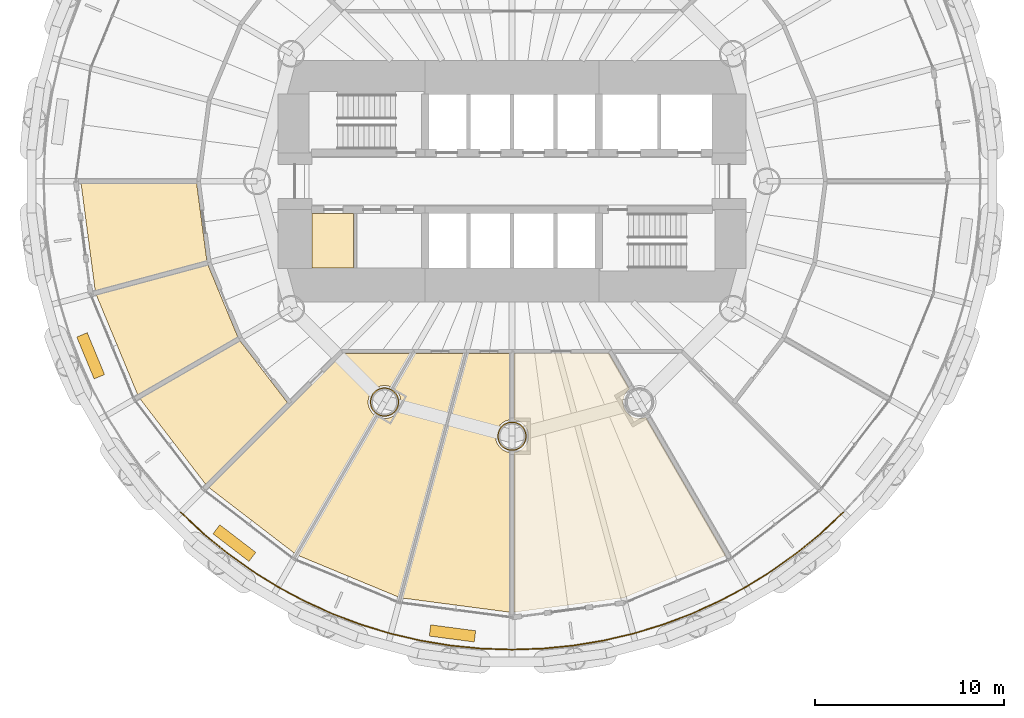
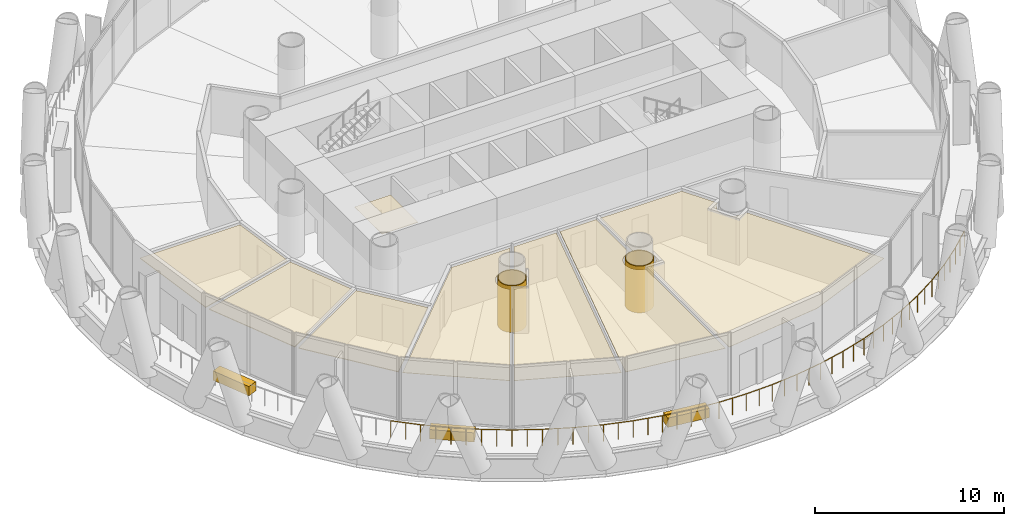
# One storey, part 13 of 16: 13 coverings, 1 railing.
"""IFC4 building model written with IfcOpenShell, lengths in metres."""

from ifc_helpers import new_model, si_unit, direction, frame, origin, origin_2d, place, context, subcontext, project, spatial, polyline, rectangle, circle, outline, extrude, material, layer, layer_set, type_object, element, save


model = new_model("IFC4")

# Units and contexts
model_context = context("Model", 3, precision=1e-05, world=origin(), true_north=direction((0.0, 1.0)))
body_context = subcontext(model_context, "Body", "Model", "MODEL_VIEW")
ifc_project = project(units=[si_unit("LENGTHUNIT", "METRE"), si_unit("AREAUNIT", "SQUARE_METRE"), si_unit("VOLUMEUNIT", "CUBIC_METRE"), si_unit("PLANEANGLEUNIT", "RADIAN"), si_unit("MASSUNIT", "GRAM", prefix="KILO")], contexts=[model_context])

# Site, building, storey
site_placement = place(None, origin())
site = spatial("IfcSite", under=ifc_project, at=site_placement, CompositionType="ELEMENT")
building_placement = place(site_placement, origin())
building = spatial("IfcBuilding", under=site, at=building_placement, Name="Qaws Media Tower", CompositionType="ELEMENT")
storey_placement = place(building_placement, frame((0.0, 0.0, 80.60009765625)))
storey = spatial("IfcBuildingStorey", under=building, at=storey_placement, Name="L17", CompositionType="ELEMENT", Elevation=80.60009765625)

# Coverings
ifc_material_1 = material(Name="40 perforated acoustic panels with mineral wool backing, suspended", Category="mineral fibre")
ifc_layer_1 = layer(ifc_material_1, 0.0400390625)
ifc_layer_set_1 = layer_set([ifc_layer_1], Name="Acoustic panel ceiling 40")
covering_type_1 = type_object("IfcCoveringType", Name="Acoustic panel ceiling 40", PredefinedType="CEILING", material=ifc_layer_set_1)
covering_1_placement = place(storey_placement, frame((0.0, 0.0, 2.849853515625)))
element("IfcCovering", 1, at=covering_1_placement, inside=storey, type_object=covering_type_1, Name="CL3 ceiling L17-03 Translation booth", PredefinedType="CEILING", context=body_context, shape_type="SweptSolid", body=[
    extrude(outline(polyline([(37.1796875, 49.887451171875), (43.30126953125, 49.887451171875), (43.84130859375, 45.78662109375), (37.927978515625, 44.202392578125), (37.1796875, 49.887451171875)])), origin(), (0.0, 0.0, 1.0), 0.0400390625),
])
covering_2_placement = place(storey_placement, frame((0.0, 0.0, 2.849853515625)))
element("IfcCovering", 2, at=covering_2_placement, inside=storey, type_object=covering_type_1, Name="CL3 ceiling L17-04 Translation booth", PredefinedType="CEILING", context=body_context, shape_type="SweptSolid", body=[
    extrude(outline(polyline([(37.986328125, 43.985107421875), (43.8994140625, 45.5693359375), (45.482421875, 41.748046875), (40.1806640625, 38.687255859375), (37.986328125, 43.985107421875)])), origin(), (0.0, 0.0, 1.0), 0.0400390625),
])
covering_3_placement = place(storey_placement, frame((0.0, 0.0, 2.849853515625)))
element("IfcCovering", 3, at=covering_3_placement, inside=storey, type_object=covering_type_1, Name="CL3 ceiling L17-05 Translation booth", PredefinedType="CEILING", context=body_context, shape_type="SweptSolid", body=[
    extrude(outline(polyline([(40.293212890625, 38.492431640625), (45.5947265625, 41.55322265625), (48.11279296875, 38.271728515625), (43.783935546875, 33.943115234375), (40.293212890625, 38.492431640625)])), origin(), (0.0, 0.0, 1.0), 0.0400390625),
])

# Railing
ifc_material_2 = material(Name="Stainless steel and glass guard", Category="steel")
railing_type = type_object("IfcRailingType", Name="Balcony guard 1100", PredefinedType="GUARDRAIL", material=ifc_material_2)
railing_placement = place(storey_placement, frame((42.4638671875, 32.4638671875, 0.0)))
element("IfcRailing", 4, at=railing_placement, inside=storey, type_object=railing_type, Name="GR1 balcony guard L17-3", PredefinedType="GUARDRAIL", context=body_context, shape_type="SweptSolid", body=[
    extrude(circle(Radius=0.02392578125, at=origin_2d()), frame((0.0, 0.0, 1.076171875), z_axis=(0.729823335563, -0.683635794022, 0.0), x_axis=(0.683635794022, 0.729823335563, 0.0)), (0.0, 0.0, 1.0), 1.622802734375),
    extrude(circle(Radius=0.02392578125, at=origin_2d()), frame((1.184326171875, -1.109375, 1.076171875), z_axis=(0.773044998385, -0.634351188595, 0.0), x_axis=(0.634351188595, 0.773044998385, 0.0)), (0.0, 0.0, 1.0), 1.623046875),
    extrude(circle(Radius=0.02392578125, at=origin_2d()), frame((2.43896484375, -2.138916015625, 1.076171875), z_axis=(0.812827812024, -0.582504032604, 0.0), x_axis=(0.582504032604, 0.812827812024, 0.0)), (0.0, 0.0, 1.0), 1.622802734375),
    extrude(circle(Radius=0.02392578125, at=origin_2d()), frame((3.758056640625, -3.084228515625, 1.076171875), z_axis=(0.849154052867, -0.528145239967, 0.0), x_axis=(0.528145239967, 0.849154052867, 0.0)), (0.0, 0.0, 1.0), 1.623046875),
    extrude(circle(Radius=0.02392578125, at=origin_2d()), frame((5.13623046875, -3.94140625, 1.076171875), z_axis=(0.881940295508, -0.471361130301, 0.0), x_axis=(0.471361130301, 0.881940295508, 0.0)), (0.0, 0.0, 1.0), 1.622802734375),
    extrude(circle(Radius=0.02392578125, at=origin_2d()), frame((6.5673828125, -4.706298828125, 1.076171875), z_axis=(0.910891239734, -0.412646518677, 0.0), x_axis=(0.412646518677, 0.910891239734, 0.0)), (0.0, 0.0, 1.0), 1.622802734375),
    extrude(circle(Radius=0.02392578125, at=origin_2d()), frame((8.045654296875, -5.3759765625, 1.076171875), z_axis=(0.935877089003, -0.352326658486, 0.0), x_axis=(0.352326658486, 0.935877089003, 0.0)), (0.0, 0.0, 1.0), 1.622802734375),
    extrude(circle(Radius=0.02392578125, at=origin_2d()), frame((9.564453125, -5.94775390625, 1.076171875), z_axis=(0.956923127669, -0.290341398585, 0.0), x_axis=(0.290341398585, 0.956923127669, 0.0)), (0.0, 0.0, 1.0), 1.622802734375),
    extrude(circle(Radius=0.02392578125, at=origin_2d()), frame((11.117431640625, -6.4189453125, 1.076171875), z_axis=(0.973894444351, -0.227001346389, 0.0), x_axis=(0.227001346389, 0.973894444351, 0.0)), (0.0, 0.0, 1.0), 1.623046875),
    extrude(circle(Radius=0.02392578125, at=origin_2d()), frame((12.697998046875, -6.787353515625, 1.076171875), z_axis=(0.986636807112, -0.162934989647, 0.0), x_axis=(0.162934989647, 0.986636807112, 0.0)), (0.0, 0.0, 1.0), 1.622802734375),
    extrude(circle(Radius=0.02392578125, at=origin_2d()), frame((14.299072265625, -7.0517578125, 1.076171875), z_axis=(0.995192364026, -0.097939565983, 0.0), x_axis=(0.097939565983, 0.995192364026, 0.0)), (0.0, 0.0, 1.0), 1.622802734375),
    extrude(circle(Radius=0.02392578125, at=origin_2d()), frame((15.9140625, -7.210693359375, 1.076171875), z_axis=(0.999462135048, -0.032793911114, 0.0), x_axis=(0.032793911114, 0.999462135048, 0.0)), (0.0, 0.0, 1.0), 1.623046875),
    extrude(circle(Radius=0.02392578125, at=origin_2d()), frame((17.5361328125, -7.263916015625, 1.076171875), z_axis=(0.999462135048, 0.032793911114, 0.0), x_axis=(-0.032793911114, 0.999462135048, 0.0)), (0.0, 0.0, 1.0), 1.623046875),
    extrude(circle(Radius=0.02392578125, at=origin_2d()), frame((19.158203125, -7.210693359375, 1.076171875), z_axis=(0.995192364026, 0.097939565983, 0.0), x_axis=(-0.097939565983, 0.995192364026, 0.0)), (0.0, 0.0, 1.0), 1.622802734375),
    extrude(circle(Radius=0.02392578125, at=origin_2d()), frame((20.773193359375, -7.0517578125, 1.076171875), z_axis=(0.986636807112, 0.162934989647, 0.0), x_axis=(-0.162934989647, 0.986636807112, 0.0)), (0.0, 0.0, 1.0), 1.622802734375),
    extrude(circle(Radius=0.02392578125, at=origin_2d()), frame((22.374267578125, -6.787353515625, 1.076171875), z_axis=(0.973894444351, 0.227001346389, 0.0), x_axis=(-0.227001346389, 0.973894444351, 0.0)), (0.0, 0.0, 1.0), 1.623046875),
    extrude(circle(Radius=0.02392578125, at=origin_2d()), frame((23.954833984375, -6.4189453125, 1.076171875), z_axis=(0.956923127669, 0.290341398585, 0.0), x_axis=(-0.290341398585, 0.956923127669, 0.0)), (0.0, 0.0, 1.0), 1.622802734375),
    extrude(circle(Radius=0.02392578125, at=origin_2d()), frame((25.5078125, -5.94775390625, 1.076171875), z_axis=(0.935877089003, 0.352326658486, 0.0), x_axis=(-0.352326658486, 0.935877089003, 0.0)), (0.0, 0.0, 1.0), 1.622802734375),
    extrude(circle(Radius=0.02392578125, at=origin_2d()), frame((27.026611328125, -5.3759765625, 1.076171875), z_axis=(0.910891239734, 0.412646518677, 0.0), x_axis=(-0.412646518677, 0.910891239734, 0.0)), (0.0, 0.0, 1.0), 1.622802734375),
    extrude(circle(Radius=0.02392578125, at=origin_2d()), frame((28.5048828125, -4.706298828125, 1.076171875), z_axis=(0.881940295508, 0.471361130301, 0.0), x_axis=(-0.471361130301, 0.881940295508, 0.0)), (0.0, 0.0, 1.0), 1.622802734375),
    extrude(circle(Radius=0.02392578125, at=origin_2d()), frame((29.93603515625, -3.94140625, 1.076171875), z_axis=(0.849154052867, 0.528145239967, 0.0), x_axis=(-0.528145239967, 0.849154052867, 0.0)), (0.0, 0.0, 1.0), 1.623046875),
    extrude(circle(Radius=0.02392578125, at=origin_2d()), frame((31.314208984375, -3.084228515625, 1.076171875), z_axis=(0.812827812024, 0.582504032604, 0.0), x_axis=(-0.582504032604, 0.812827812024, 0.0)), (0.0, 0.0, 1.0), 1.622802734375),
    extrude(circle(Radius=0.02392578125, at=origin_2d()), frame((32.63330078125, -2.138916015625, 1.076171875), z_axis=(0.773044998385, 0.634351188595, 0.0), x_axis=(-0.634351188595, 0.773044998385, 0.0)), (0.0, 0.0, 1.0), 1.623046875),
    extrude(circle(Radius=0.02392578125, at=origin_2d()), frame((33.887939453125, -1.109375, 1.076171875), z_axis=(0.729823335563, 0.683635794022, 0.0), x_axis=(-0.683635794022, 0.729823335563, 0.0)), (0.0, 0.0, 1.0), 1.622802734375),
    extrude(circle(Radius=0.02099609375, at=origin_2d()), origin(), (0.0, 0.0, 1.0), 1.052001953125),
    extrude(circle(Radius=0.02099609375, at=origin_2d()), frame((0.59228515625, -0.5546875, 0.0)), (0.0, 0.0, 1.0), 1.052001953125),
    extrude(circle(Radius=0.02099609375, at=origin_2d()), frame((1.184326171875, -1.109375, 0.0)), (0.0, 0.0, 1.0), 1.052001953125),
    extrude(circle(Radius=0.02099609375, at=origin_2d()), frame((1.8115234375, -1.6240234375, 0.0)), (0.0, 0.0, 1.0), 1.052001953125),
    extrude(circle(Radius=0.02099609375, at=origin_2d()), frame((2.43896484375, -2.138916015625, 0.0)), (0.0, 0.0, 1.0), 1.052001953125),
    extrude(circle(Radius=0.02099609375, at=origin_2d()), frame((3.0986328125, -2.611572265625, 0.0)), (0.0, 0.0, 1.0), 1.052001953125),
    extrude(circle(Radius=0.02099609375, at=origin_2d()), frame((3.758056640625, -3.084228515625, 0.0)), (0.0, 0.0, 1.0), 1.052001953125),
    extrude(circle(Radius=0.02099609375, at=origin_2d()), frame((4.447265625, -3.5126953125, 0.0)), (0.0, 0.0, 1.0), 1.052001953125),
    extrude(circle(Radius=0.02099609375, at=origin_2d()), frame((5.13623046875, -3.94140625, 0.0)), (0.0, 0.0, 1.0), 1.052001953125),
    extrude(circle(Radius=0.02099609375, at=origin_2d()), frame((5.851806640625, -4.32373046875, 0.0)), (0.0, 0.0, 1.0), 1.052001953125),
    extrude(circle(Radius=0.02099609375, at=origin_2d()), frame((6.5673828125, -4.706298828125, 0.0)), (0.0, 0.0, 1.0), 1.052001953125),
    extrude(circle(Radius=0.02099609375, at=origin_2d()), frame((7.306640625, -5.041015625, 0.0)), (0.0, 0.0, 1.0), 1.052001953125),
    extrude(circle(Radius=0.02099609375, at=origin_2d()), frame((8.045654296875, -5.3759765625, 0.0)), (0.0, 0.0, 1.0), 1.052001953125),
    extrude(circle(Radius=0.02099609375, at=origin_2d()), frame((8.80517578125, -5.661865234375, 0.0)), (0.0, 0.0, 1.0), 1.052001953125),
    extrude(circle(Radius=0.02099609375, at=origin_2d()), frame((9.564453125, -5.94775390625, 0.0)), (0.0, 0.0, 1.0), 1.052001953125),
    extrude(circle(Radius=0.02099609375, at=origin_2d()), frame((10.3408203125, -6.183349609375, 0.0)), (0.0, 0.0, 1.0), 1.052001953125),
    extrude(circle(Radius=0.02099609375, at=origin_2d()), frame((11.117431640625, -6.4189453125, 0.0)), (0.0, 0.0, 1.0), 1.052001953125),
    extrude(circle(Radius=0.02099609375, at=origin_2d()), frame((11.90771484375, -6.60302734375, 0.0)), (0.0, 0.0, 1.0), 1.052001953125),
    extrude(circle(Radius=0.02099609375, at=origin_2d()), frame((12.697998046875, -6.787353515625, 0.0)), (0.0, 0.0, 1.0), 1.052001953125),
    extrude(circle(Radius=0.02099609375, at=origin_2d()), frame((13.49853515625, -6.91943359375, 0.0)), (0.0, 0.0, 1.0), 1.052001953125),
    extrude(circle(Radius=0.02099609375, at=origin_2d()), frame((14.299072265625, -7.0517578125, 0.0)), (0.0, 0.0, 1.0), 1.052001953125),
    extrude(circle(Radius=0.02099609375, at=origin_2d()), frame((15.1064453125, -7.13134765625, 0.0)), (0.0, 0.0, 1.0), 1.052001953125),
    extrude(circle(Radius=0.02099609375, at=origin_2d()), frame((15.9140625, -7.210693359375, 0.0)), (0.0, 0.0, 1.0), 1.052001953125),
    extrude(circle(Radius=0.02099609375, at=origin_2d()), frame((16.72509765625, -7.2373046875, 0.0)), (0.0, 0.0, 1.0), 1.052001953125),
    extrude(circle(Radius=0.02099609375, at=origin_2d()), frame((17.5361328125, -7.263916015625, 0.0)), (0.0, 0.0, 1.0), 1.052001953125),
    extrude(circle(Radius=0.02099609375, at=origin_2d()), frame((18.34716796875, -7.2373046875, 0.0)), (0.0, 0.0, 1.0), 1.052001953125),
    extrude(circle(Radius=0.02099609375, at=origin_2d()), frame((19.158203125, -7.210693359375, 0.0)), (0.0, 0.0, 1.0), 1.052001953125),
    extrude(circle(Radius=0.02099609375, at=origin_2d()), frame((19.9658203125, -7.13134765625, 0.0)), (0.0, 0.0, 1.0), 1.052001953125),
    extrude(circle(Radius=0.02099609375, at=origin_2d()), frame((20.773193359375, -7.0517578125, 0.0)), (0.0, 0.0, 1.0), 1.052001953125),
    extrude(circle(Radius=0.02099609375, at=origin_2d()), frame((21.57373046875, -6.91943359375, 0.0)), (0.0, 0.0, 1.0), 1.052001953125),
    extrude(circle(Radius=0.02099609375, at=origin_2d()), frame((22.374267578125, -6.787353515625, 0.0)), (0.0, 0.0, 1.0), 1.052001953125),
    extrude(circle(Radius=0.02099609375, at=origin_2d()), frame((23.16455078125, -6.60302734375, 0.0)), (0.0, 0.0, 1.0), 1.052001953125),
    extrude(circle(Radius=0.02099609375, at=origin_2d()), frame((23.954833984375, -6.4189453125, 0.0)), (0.0, 0.0, 1.0), 1.052001953125),
    extrude(circle(Radius=0.02099609375, at=origin_2d()), frame((24.7314453125, -6.183349609375, 0.0)), (0.0, 0.0, 1.0), 1.052001953125),
    extrude(circle(Radius=0.02099609375, at=origin_2d()), frame((25.5078125, -5.94775390625, 0.0)), (0.0, 0.0, 1.0), 1.052001953125),
    extrude(circle(Radius=0.02099609375, at=origin_2d()), frame((26.26708984375, -5.661865234375, 0.0)), (0.0, 0.0, 1.0), 1.052001953125),
    extrude(circle(Radius=0.02099609375, at=origin_2d()), frame((27.026611328125, -5.3759765625, 0.0)), (0.0, 0.0, 1.0), 1.052001953125),
    extrude(circle(Radius=0.02099609375, at=origin_2d()), frame((27.765625, -5.041015625, 0.0)), (0.0, 0.0, 1.0), 1.052001953125),
    extrude(circle(Radius=0.02099609375, at=origin_2d()), frame((28.5048828125, -4.706298828125, 0.0)), (0.0, 0.0, 1.0), 1.052001953125),
    extrude(circle(Radius=0.02099609375, at=origin_2d()), frame((29.220458984375, -4.32373046875, 0.0)), (0.0, 0.0, 1.0), 1.052001953125),
    extrude(circle(Radius=0.02099609375, at=origin_2d()), frame((29.93603515625, -3.94140625, 0.0)), (0.0, 0.0, 1.0), 1.052001953125),
    extrude(circle(Radius=0.02099609375, at=origin_2d()), frame((30.625, -3.5126953125, 0.0)), (0.0, 0.0, 1.0), 1.052001953125),
    extrude(circle(Radius=0.02099609375, at=origin_2d()), frame((31.314208984375, -3.084228515625, 0.0)), (0.0, 0.0, 1.0), 1.052001953125),
    extrude(circle(Radius=0.02099609375, at=origin_2d()), frame((31.9736328125, -2.611572265625, 0.0)), (0.0, 0.0, 1.0), 1.052001953125),
    extrude(circle(Radius=0.02099609375, at=origin_2d()), frame((32.63330078125, -2.138916015625, 0.0)), (0.0, 0.0, 1.0), 1.052001953125),
    extrude(circle(Radius=0.02099609375, at=origin_2d()), frame((33.2607421875, -1.6240234375, 0.0)), (0.0, 0.0, 1.0), 1.052001953125),
    extrude(circle(Radius=0.02099609375, at=origin_2d()), frame((33.887939453125, -1.109375, 0.0)), (0.0, 0.0, 1.0), 1.052001953125),
    extrude(circle(Radius=0.02099609375, at=origin_2d()), frame((34.47998046875, -0.5546875, 0.0)), (0.0, 0.0, 1.0), 1.052001953125),
    extrude(circle(Radius=0.02099609375, at=origin_2d()), frame((35.072265625, 0.0, 0.0)), (0.0, 0.0, 1.0), 1.052001953125),
])

# Coverings
ifc_material_3 = material(Name="Two layers 15 fire-rated gypsum board on steel framing", Category="steel")
ifc_layer_2 = layer(ifc_material_3, 0.050048828125)
ifc_layer_set_2 = layer_set([ifc_layer_2], Name="Column fire casing")
covering_type_2 = type_object("IfcCoveringType", Name="Column fire casing", PredefinedType="CLADDING", material=ifc_layer_set_2)
covering_4_placement = place(storey_placement, origin())
element("IfcCovering", 5, at=covering_4_placement, inside=storey, type_object=covering_type_2, Name="CC1 column casing L17", PredefinedType="CLADDING", context=body_context, shape_type="SweptSolid", body=[
    extrude(outline(polyline([(54.01611328125, 38.30859375), (54.009521484375, 38.208740234375), (53.989990234375, 38.1103515625), (53.957763671875, 38.015380859375), (53.913330078125, 37.92578125), (53.857666015625, 37.84228515625), (53.79150390625, 37.76708984375), (53.71630859375, 37.700927734375), (53.633056640625, 37.645263671875), (53.543212890625, 37.60107421875), (53.4482421875, 37.56884765625), (53.35009765625, 37.54931640625), (53.25, 37.542724609375), (53.14990234375, 37.54931640625), (53.0517578125, 37.56884765625), (52.956787109375, 37.60107421875), (52.866943359375, 37.645263671875), (52.78369140625, 37.700927734375), (52.70849609375, 37.76708984375), (52.642333984375, 37.84228515625), (52.586669921875, 37.92578125), (52.542236328125, 38.015380859375), (52.510009765625, 38.1103515625), (52.490478515625, 38.208740234375), (52.48388671875, 38.30859375), (52.490478515625, 38.40869140625), (52.510009765625, 38.5068359375), (52.542236328125, 38.601806640625), (52.586669921875, 38.691650390625), (52.642333984375, 38.77490234375), (52.70849609375, 38.850341796875), (52.78369140625, 38.91650390625), (52.866943359375, 38.971923828125), (52.956787109375, 39.016357421875), (53.0517578125, 39.048583984375), (53.14990234375, 39.068115234375), (53.25, 39.07470703125), (53.35009765625, 39.068115234375), (53.4482421875, 39.048583984375), (53.543212890625, 39.016357421875), (53.633056640625, 38.971923828125), (53.71630859375, 38.91650390625), (53.79150390625, 38.850341796875), (53.857666015625, 38.77490234375), (53.913330078125, 38.691650390625), (53.957763671875, 38.601806640625), (53.989990234375, 38.5068359375), (54.009521484375, 38.40869140625), (54.01611328125, 38.30859375)]), holes=[polyline([(53.964111328125, 38.30859375), (53.9580078125, 38.215576171875), (53.939697265625, 38.123779296875), (53.90966796875, 38.035400390625), (53.868408203125, 37.95166015625), (53.81640625, 37.8740234375), (53.7548828125, 37.8037109375), (53.684814453125, 37.7421875), (53.60693359375, 37.690185546875), (53.523193359375, 37.64892578125), (53.434814453125, 37.618896484375), (53.34326171875, 37.600830078125), (53.25, 37.5947265625), (53.15673828125, 37.600830078125), (53.065185546875, 37.618896484375), (52.976806640625, 37.64892578125), (52.89306640625, 37.690185546875), (52.815185546875, 37.7421875), (52.7451171875, 37.8037109375), (52.68359375, 37.8740234375), (52.631591796875, 37.95166015625), (52.59033203125, 38.035400390625), (52.560302734375, 38.123779296875), (52.5419921875, 38.215576171875), (52.535888671875, 38.30859375), (52.5419921875, 38.40185546875), (52.560302734375, 38.493408203125), (52.59033203125, 38.581787109375), (52.631591796875, 38.665771484375), (52.68359375, 38.743408203125), (52.7451171875, 38.8134765625), (52.815185546875, 38.875), (52.89306640625, 38.927001953125), (52.976806640625, 38.96826171875), (53.065185546875, 38.998291015625), (53.15673828125, 39.0166015625), (53.25, 39.022705078125), (53.34326171875, 39.0166015625), (53.434814453125, 38.998291015625), (53.523193359375, 38.96826171875), (53.60693359375, 38.927001953125), (53.684814453125, 38.875), (53.7548828125, 38.8134765625), (53.81640625, 38.743408203125), (53.868408203125, 38.665771484375), (53.90966796875, 38.581787109375), (53.939697265625, 38.493408203125), (53.9580078125, 38.40185546875), (53.964111328125, 38.30859375)])]), origin(), (0.0, 0.0, 1.0), 3.02001953125),
])
covering_5_placement = place(storey_placement, origin())
element("IfcCovering", 6, at=covering_5_placement, inside=storey, type_object=covering_type_2, Name="CC1 column casing L17", PredefinedType="CLADDING", context=body_context, shape_type="SweptSolid", body=[
    extrude(outline(polyline([(60.76611328125, 36.5), (60.759521484375, 36.39990234375), (60.739990234375, 36.3017578125), (60.707763671875, 36.206787109375), (60.663330078125, 36.116943359375), (60.607666015625, 36.03369140625), (60.54150390625, 35.95849609375), (60.46630859375, 35.892333984375), (60.383056640625, 35.836669921875), (60.293212890625, 35.792236328125), (60.1982421875, 35.760009765625), (60.10009765625, 35.740478515625), (60.0, 35.73388671875), (59.89990234375, 35.740478515625), (59.8017578125, 35.760009765625), (59.706787109375, 35.792236328125), (59.616943359375, 35.836669921875), (59.53369140625, 35.892333984375), (59.45849609375, 35.95849609375), (59.392333984375, 36.03369140625), (59.336669921875, 36.116943359375), (59.292236328125, 36.206787109375), (59.260009765625, 36.3017578125), (59.240478515625, 36.39990234375), (59.23388671875, 36.5), (59.240478515625, 36.60009765625), (59.260009765625, 36.6982421875), (59.292236328125, 36.793212890625), (59.336669921875, 36.883056640625), (59.392333984375, 36.96630859375), (59.45849609375, 37.04150390625), (59.53369140625, 37.107666015625), (59.616943359375, 37.163330078125), (59.706787109375, 37.207763671875), (59.8017578125, 37.239990234375), (59.89990234375, 37.259521484375), (60.0, 37.26611328125), (60.10009765625, 37.259521484375), (60.1982421875, 37.239990234375), (60.293212890625, 37.207763671875), (60.383056640625, 37.163330078125), (60.46630859375, 37.107666015625), (60.54150390625, 37.04150390625), (60.607666015625, 36.96630859375), (60.663330078125, 36.883056640625), (60.707763671875, 36.793212890625), (60.739990234375, 36.6982421875), (60.759521484375, 36.60009765625), (60.76611328125, 36.5)]), holes=[polyline([(60.714111328125, 36.5), (60.7080078125, 36.40673828125), (60.689697265625, 36.315185546875), (60.65966796875, 36.226806640625), (60.618408203125, 36.14306640625), (60.56640625, 36.065185546875), (60.5048828125, 35.9951171875), (60.434814453125, 35.93359375), (60.35693359375, 35.881591796875), (60.273193359375, 35.84033203125), (60.184814453125, 35.810302734375), (60.09326171875, 35.7919921875), (60.0, 35.785888671875), (59.90673828125, 35.7919921875), (59.815185546875, 35.810302734375), (59.726806640625, 35.84033203125), (59.64306640625, 35.881591796875), (59.565185546875, 35.93359375), (59.4951171875, 35.9951171875), (59.43359375, 36.065185546875), (59.381591796875, 36.14306640625), (59.34033203125, 36.226806640625), (59.310302734375, 36.315185546875), (59.2919921875, 36.40673828125), (59.285888671875, 36.5), (59.2919921875, 36.59326171875), (59.310302734375, 36.684814453125), (59.34033203125, 36.773193359375), (59.381591796875, 36.85693359375), (59.43359375, 36.934814453125), (59.4951171875, 37.0048828125), (59.565185546875, 37.06640625), (59.64306640625, 37.118408203125), (59.726806640625, 37.15966796875), (59.815185546875, 37.189697265625), (59.90673828125, 37.2080078125), (60.0, 37.214111328125), (60.09326171875, 37.2080078125), (60.184814453125, 37.189697265625), (60.273193359375, 37.15966796875), (60.35693359375, 37.118408203125), (60.434814453125, 37.06640625), (60.5048828125, 37.0048828125), (60.56640625, 36.934814453125), (60.618408203125, 36.85693359375), (60.65966796875, 36.773193359375), (60.689697265625, 36.684814453125), (60.7080078125, 36.59326171875), (60.714111328125, 36.5)])]), origin(), (0.0, 0.0, 1.0), 3.02001953125),
])
ifc_material_4 = material(Name="Precast concrete planter with trailing planting", Category="concrete")
ifc_layer_3 = layer(ifc_material_4, 0.60009765625)
ifc_layer_set_3 = layer_set([ifc_layer_3], Name="Planter 2400x600")
covering_type_3 = type_object("IfcCoveringType", Name="Planter 2400x600", PredefinedType="USERDEFINED", material=ifc_layer_set_3)
for number, where, z_axis, x_axis, name in (
    (7, (37.688232421875, 40.75830078125, -0.000244140625), (0.0, 0.0, 1.0), (0.382683432365, -0.923879532511, 0.0), "PL1 balcony planter L17-07"),
    (8, (45.29833984375, 30.840576171875, -0.000244140625), (0.0, 0.0, 1.0), (0.793353340291, -0.608761429009, 0.0), "PL1 balcony planter L17-08"),
    (9, (56.847900390625, 26.056640625, -0.000244140625), (0.0, 0.0, 1.0), (0.991444861374, -0.13052619222, 0.0), "PL1 balcony planter L17-09"),
):
    element("IfcCovering", number, at=place(storey_placement, frame(where, z_axis=z_axis, x_axis=x_axis)), inside=storey, type_object=covering_type_3, Name=name, ObjectType="PLANTER", PredefinedType="USERDEFINED", context=body_context, shape_type="SweptSolid", body=[
        extrude(rectangle(XDim=2.39990234375, YDim=0.60009765625, at=origin_2d()), origin(), (0.0, 0.0, 1.0), 0.60009765625),
    ])
ifc_material_5 = material(Name="Two layers 12.5 moisture-resistant plasterboard on suspended metal furring", Category="gypsum")
ifc_layer_4 = layer(ifc_material_5, 0.02490234375)
ifc_layer_set_4 = layer_set([ifc_layer_4], Name="Plasterboard ceiling 25")
covering_type_4 = type_object("IfcCoveringType", Name="Plasterboard ceiling 25", PredefinedType="CEILING", material=ifc_layer_set_4)
covering_6_placement = place(storey_placement, frame((0.0, 0.0, 2.849853515625)))
element("IfcCovering", 10, at=covering_6_placement, inside=storey, type_object=covering_type_4, Name="CL2 ceiling L17-06 Editor's office", PredefinedType="CEILING", context=body_context, shape_type="SweptSolid", body=[
    extrude(outline(polyline([(43.943115234375, 33.783935546875), (51.046630859375, 40.887451171875), (54.60888671875, 40.887451171875), (53.58447265625, 39.11279296875), (53.475341796875, 39.14990234375), (53.36376953125, 39.172119140625), (53.25, 39.1796875), (53.13623046875, 39.172119140625), (53.024658203125, 39.14990234375), (52.916748046875, 39.11328125), (52.814453125, 39.06298828125), (52.7197265625, 38.999755859375), (52.634033203125, 38.924560546875), (52.55908203125, 38.8388671875), (52.49560546875, 38.744140625), (52.4453125, 38.64208984375), (52.40869140625, 38.5341796875), (52.386474609375, 38.42236328125), (52.37890625, 38.30859375), (52.386474609375, 38.195068359375), (52.40869140625, 38.083251953125), (52.4453125, 37.975341796875), (52.49560546875, 37.873291015625), (52.55908203125, 37.7783203125), (52.634033203125, 37.69287109375), (52.720703125, 37.616943359375), (48.492431640625, 30.293212890625), (43.943115234375, 33.783935546875)])), origin(), (0.0, 0.0, 1.0), 0.025146484375),
])
covering_7_placement = place(storey_placement, frame((0.0, 0.0, 2.849853515625)))
element("IfcCovering", 11, at=covering_7_placement, inside=storey, type_object=covering_type_4, Name="CL2 ceiling L17-07 Editor's office", PredefinedType="CEILING", context=body_context, shape_type="SweptSolid", body=[
    extrude(outline(polyline([(48.687255859375, 30.1806640625), (52.91552734375, 37.50439453125), (53.024658203125, 37.46728515625), (53.13623046875, 37.445068359375), (53.25, 37.437744140625), (53.36376953125, 37.445068359375), (53.475341796875, 37.46728515625), (53.583251953125, 37.50390625), (53.685546875, 37.55419921875), (53.7802734375, 37.61767578125), (53.865966796875, 37.69287109375), (53.94091796875, 37.7783203125), (54.00439453125, 37.873291015625), (54.0546875, 37.975341796875), (54.09130859375, 38.083251953125), (54.113525390625, 38.195068359375), (54.12109375, 38.30859375), (54.113525390625, 38.42236328125), (54.09130859375, 38.5341796875), (54.0546875, 38.64208984375), (54.00439453125, 38.744140625), (53.94091796875, 38.8388671875), (53.865966796875, 38.924560546875), (53.779296875, 39.000244140625), (54.868896484375, 40.887451171875), (57.44189453125, 40.887451171875), (53.985107421875, 27.986328125), (48.687255859375, 30.1806640625)])), origin(), (0.0, 0.0, 1.0), 0.025146484375),
])
covering_8_placement = place(storey_placement, frame((0.0, 0.0, 2.849853515625)))
element("IfcCovering", 12, at=covering_8_placement, inside=storey, type_object=covering_type_4, Name="CL2 ceiling L17-08 Editor's office", PredefinedType="CEILING", context=body_context, shape_type="SweptSolid", body=[
    extrude(outline(polyline([(54.202392578125, 27.927978515625), (57.6748046875, 40.887451171875), (59.887451171875, 40.887451171875), (59.887451171875, 37.363525390625), (59.774658203125, 37.34130859375), (59.666748046875, 37.3046875), (59.564453125, 37.25439453125), (59.4697265625, 37.19091796875), (59.384033203125, 37.115966796875), (59.30908203125, 37.0302734375), (59.24560546875, 36.935546875), (59.1953125, 36.833251953125), (59.15869140625, 36.725341796875), (59.136474609375, 36.61376953125), (59.12890625, 36.5), (59.136474609375, 36.38623046875), (59.15869140625, 36.274658203125), (59.1953125, 36.166748046875), (59.24560546875, 36.064453125), (59.30908203125, 35.9697265625), (59.384033203125, 35.884033203125), (59.4697265625, 35.80908203125), (59.564453125, 35.74560546875), (59.666748046875, 35.6953125), (59.774658203125, 35.65869140625), (59.887451171875, 35.636474609375), (59.887451171875, 27.1796875), (54.202392578125, 27.927978515625)])), origin(), (0.0, 0.0, 1.0), 0.025146484375),
])
covering_9_placement = place(storey_placement, frame((0.0, 0.0, 2.849853515625)))
element("IfcCovering", 13, at=covering_9_placement, inside=storey, type_object=covering_type_4, Name="CL2 ceiling L17-09 Satellite booking office", PredefinedType="CEILING", context=body_context, shape_type="SweptSolid", body=[
    extrude(outline(polyline([(65.91015625, 27.94287109375), (60.112548828125, 27.1796875), (60.112548828125, 35.636474609375), (60.225341796875, 35.65869140625), (60.333251953125, 35.6953125), (60.435546875, 35.74560546875), (60.5302734375, 35.80908203125), (60.615966796875, 35.884033203125), (60.69091796875, 35.9697265625), (60.75439453125, 36.064453125), (60.8046875, 36.166748046875), (60.84130859375, 36.274658203125), (60.863525390625, 36.38623046875), (60.87109375, 36.5), (60.863525390625, 36.61376953125), (60.84130859375, 36.725341796875), (60.8046875, 36.833251953125), (60.75439453125, 36.935546875), (60.69091796875, 37.0302734375), (60.615966796875, 37.115966796875), (60.5302734375, 37.19091796875), (60.435546875, 37.25439453125), (60.333251953125, 37.3046875), (60.225341796875, 37.34130859375), (60.112548828125, 37.363525390625), (60.112548828125, 40.887451171875), (65.131103515625, 40.887451171875), (66.220703125, 39.000244140625), (66.134033203125, 38.924560546875), (66.05908203125, 38.8388671875), (65.99560546875, 38.744140625), (65.9453125, 38.64208984375), (65.90869140625, 38.5341796875), (65.886474609375, 38.42236328125), (65.87890625, 38.30859375), (65.886474609375, 38.195068359375), (65.90869140625, 38.083251953125), (65.9453125, 37.975341796875), (65.99560546875, 37.873291015625), (66.05908203125, 37.7783203125), (66.134033203125, 37.69287109375), (66.2197265625, 37.61767578125), (66.314453125, 37.55419921875), (66.416748046875, 37.50390625), (66.524658203125, 37.46728515625), (66.63623046875, 37.445068359375), (66.75, 37.437744140625), (66.86376953125, 37.445068359375), (66.975341796875, 37.46728515625), (67.08447265625, 37.50439453125), (71.312744140625, 30.1806640625), (65.91015625, 27.94287109375)])), origin(), (0.0, 0.0, 1.0), 0.025146484375),
])
covering_10_placement = place(storey_placement, frame((0.0, 0.0, 2.849853515625)))
element("IfcCovering", 14, at=covering_10_placement, inside=storey, type_object=covering_type_4, Name="CL2 ceiling L17-C04 Accessible WC", PredefinedType="CEILING", context=body_context, shape_type="SweptSolid", body=[
    extrude(outline(polyline([(49.39990234375, 45.39990234375), (49.39990234375, 48.300048828125), (51.60009765625, 48.300048828125), (51.60009765625, 45.39990234375), (49.39990234375, 45.39990234375)])), origin(), (0.0, 0.0, 1.0), 0.025146484375),
])

save(model, "model.ifc")
